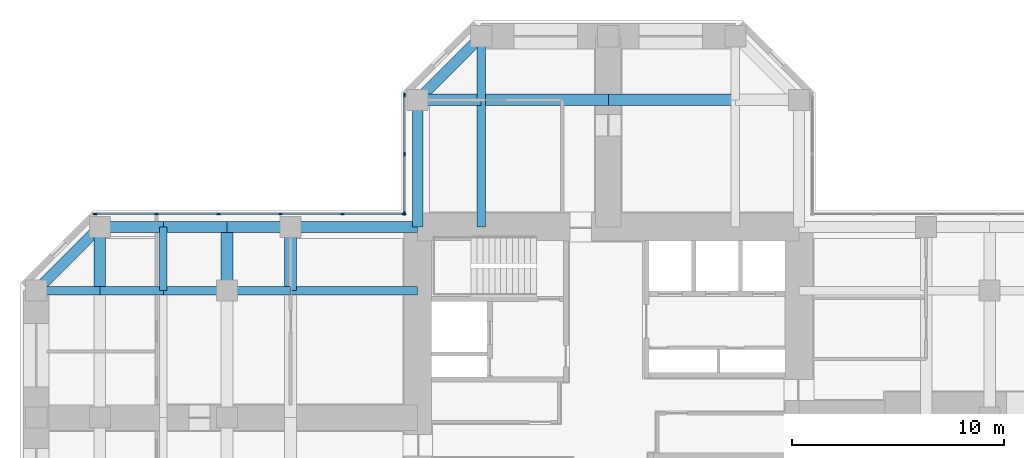
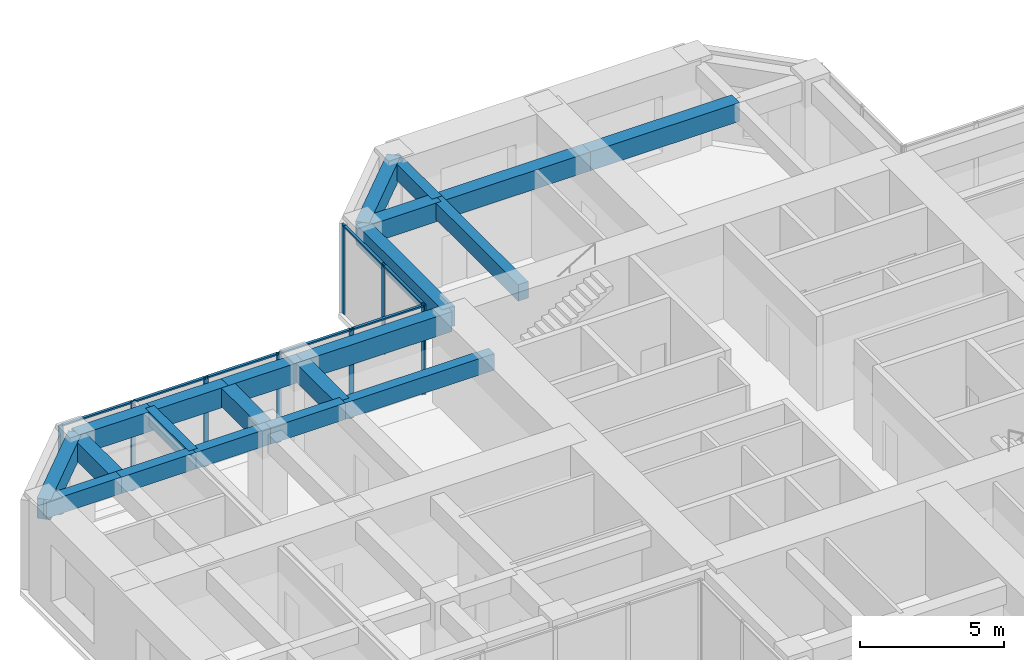
# One storey, part 5 of 13: 21 beams, 16 members, 2 elements without a shape of their own.
"""IFC4 building model written with IfcOpenShell, lengths in metres."""

from ifc_helpers import new_model, si_unit, direction, frame, origin, origin_2d, place, context, subcontext, project, spatial, rectangle, extrude, material, material_profile, profile_set, type_object, element, aggregate, save


model = new_model("IFC4")

# Units and contexts
model_context = context("Model", 3, precision=1e-05, world=origin(), true_north=direction((0.0, 1.0)))
body_context = subcontext(model_context, "Body", "Model", "MODEL_VIEW")
ifc_project = project(units=[si_unit("LENGTHUNIT", "METRE"), si_unit("AREAUNIT", "SQUARE_METRE"), si_unit("VOLUMEUNIT", "CUBIC_METRE"), si_unit("PLANEANGLEUNIT", "RADIAN"), si_unit("MASSUNIT", "GRAM", prefix="KILO")], contexts=[model_context])

# Site, building, storey
site_placement = place(None, origin())
site = spatial("IfcSite", under=ifc_project, at=site_placement, CompositionType="ELEMENT")
building_placement = place(site_placement, origin())
building = spatial("IfcBuilding", under=site, at=building_placement, Name="Torre Cruceta", CompositionType="ELEMENT")
storey_placement = place(building_placement, frame((0.0, 0.0, 156.5)))
storey = spatial("IfcBuildingStorey", under=building, at=storey_placement, Name="L38", CompositionType="ELEMENT", Elevation=156.5)

# Beams
ifc_material_1 = material(Name="Concrete G60 (fck 60 MPa)", Category="concrete")
ifc_material_profile_1 = material_profile(ifc_material_1, rectangle(XDim=0.39990234375, YDim=0.699951171875, at=origin_2d()), Name="RC 400X700")
ifc_profile_set_1 = profile_set([ifc_material_profile_1], Name="Concrete G60 (fck 60 MPa)")
beam_type_1 = type_object("IfcBeamType", Name="COLUMN LINE BEAM RC 400X700", PredefinedType="BEAM", material=ifc_profile_set_1)
beam_1_placement = place(storey_placement, frame((-6.0, 9.0, 3.449951171875), z_axis=(0.0, 1.0, 0.0), x_axis=(-1.0, 0.0, 0.0)))
element("IfcBeam", 1, at=beam_1_placement, inside=storey, type_object=beam_type_1, Name="LB5 L38 N col+ 1", PredefinedType="BEAM", context=body_context, shape_type="SweptSolid", body=[
    extrude(rectangle(XDim=0.39990234375, YDim=0.699951171875, at=origin_2d()), origin(), (0.0, 0.0, 1.0), 6.0),
])
beam_2_placement = place(storey_placement, frame((-6.0, 15.0, 3.449951171875), z_axis=(0.0, 1.0, 0.0), x_axis=(-1.0, 0.0, 0.0)))
element("IfcBeam", 2, at=beam_2_placement, inside=storey, type_object=beam_type_1, Name="LB5 L38 N col+ 2", PredefinedType="BEAM", context=body_context, shape_type="SweptSolid", body=[
    extrude(rectangle(XDim=0.39990234375, YDim=0.699951171875, at=origin_2d()), origin(), (0.0, 0.0, 1.0), 3.0),
])
beam_3_placement = place(storey_placement, frame((-9.0, 6.0, 3.449951171875), z_axis=(-1.0, 0.0, 0.0), x_axis=(0.0, -1.0, 0.0)))
element("IfcBeam", 3, at=beam_3_placement, inside=storey, type_object=beam_type_1, Name="LB5 L38 W col- 1", PredefinedType="BEAM", context=body_context, shape_type="SweptSolid", body=[
    extrude(rectangle(XDim=0.39990234375, YDim=0.699951171875, at=origin_2d()), origin(), (0.0, 0.0, 1.0), 6.0),
])
for number, where, z_axis, x_axis, name in (
    (4, (-15.0, 6.0, 3.449951171875), (-1.0, 0.0, 0.0), (0.0, -1.0, 0.0), "LB5 L38 W col- 2"),
    (5, (-18.0, 6.0, 3.449951171875), (-1.0, 0.0, 0.0), (0.0, -1.0, 0.0), "LB5 L38 W col- 3"),
    (6, (-21.0, 6.0, 3.449951171875), (-1.0, 0.0, 0.0), (0.0, -1.0, 0.0), "LB5 L38 W col- 4"),
    (7, (-24.0, 6.0, 3.449951171875), (-1.0, 0.0, 0.0), (0.0, -1.0, 0.0), "LB5 L38 W col- 5"),
):
    element("IfcBeam", number, at=place(storey_placement, frame(where, z_axis=z_axis, x_axis=x_axis)), inside=storey, type_object=beam_type_1, Name=name, PredefinedType="BEAM", context=body_context, shape_type="SweptSolid", body=[
        extrude(rectangle(XDim=0.39990234375, YDim=0.699951171875, at=origin_2d()), origin(), (0.0, 0.0, 1.0), 3.0),
    ])
ifc_material_2 = material(Name="Concrete G60 (fck 60 MPa)", Category="concrete")
ifc_material_profile_2 = material_profile(ifc_material_2, rectangle(XDim=0.550048828125, YDim=0.800048828125, at=origin_2d()), Name="RC 550X800")
ifc_profile_set_2 = profile_set([ifc_material_profile_2], Name="Concrete G60 (fck 60 MPa)")
beam_type_2 = type_object("IfcBeamType", Name="CROSS BEAM RC 550X800", PredefinedType="BEAM", material=ifc_profile_set_2)
for number, where, z_axis, x_axis, name in (
    (8, (6.0, 15.0, 3.39990234375), (-1.0, 0.0, 0.0), (0.0, -1.0, 0.0), "GB5 L38 N cross15 2"),
    (9, (0.0, 15.0, 3.39990234375), (-1.0, 0.0, 0.0), (0.0, -1.0, 0.0), "GB5 L38 N cross15 3"),
):
    element("IfcBeam", number, at=place(storey_placement, frame(where, z_axis=z_axis, x_axis=x_axis)), inside=storey, type_object=beam_type_2, Name=name, PredefinedType="BEAM", context=body_context, shape_type="SweptSolid", body=[
        extrude(rectangle(XDim=0.550048828125, YDim=0.800048828125, at=origin_2d()), origin(), (0.0, 0.0, 1.0), 6.0),
    ])
for number, where, z_axis, x_axis, name in (
    (10, (-6.0, 15.0, 3.39990234375), (-1.0, 0.0, 0.0), (0.0, -1.0, 0.0), "GB5 L38 N cross15 4"),
    (11, (-15.0, 9.0, 3.39990234375), (0.0, -1.0, 0.0), (1.0, 0.0, 0.0), "GB5 L38 W cross15 1"),
    (12, (-18.0, 9.0, 3.39990234375), (0.0, -1.0, 0.0), (1.0, 0.0, 0.0), "GB5 L38 W cross18 1"),
    (13, (-24.0, 9.0, 3.39990234375), (0.0, -1.0, 0.0), (1.0, 0.0, 0.0), "GB5 L38 W cross24 1"),
):
    element("IfcBeam", number, at=place(storey_placement, frame(where, z_axis=z_axis, x_axis=x_axis)), inside=storey, type_object=beam_type_2, Name=name, PredefinedType="BEAM", context=body_context, shape_type="SweptSolid", body=[
        extrude(rectangle(XDim=0.550048828125, YDim=0.800048828125, at=origin_2d()), origin(), (0.0, 0.0, 1.0), 3.0),
    ])

# Curtain wall, members
ifc_material_3 = material(Name="Aluminium unitised curtain wall", Category="aluminium")
curtain_wall_type = type_object("IfcCurtainWallType", Name="CURTAIN WALL CW-B OFFICE MID RISE", PredefinedType="USERDEFINED", material=ifc_material_3)
curtain_wall_1_placement = place(storey_placement, origin())
curtain_wall_1 = element("IfcCurtainWall", 14, at=curtain_wall_1_placement, inside=storey, type_object=curtain_wall_type, Name="CW-B L38 N side 09", ObjectType="UNITISED", PredefinedType="USERDEFINED")
ifc_material_4 = material(Name="Aluminium mullion", Category="aluminium")
ifc_material_profile_3 = material_profile(ifc_material_4, rectangle(XDim=0.06494140625, YDim=0.179931640625, at=origin_2d()), Name="AL 65X180")
ifc_profile_set_3 = profile_set([ifc_material_profile_3], Name="Aluminium mullion")
member_type_1 = type_object("IfcMemberType", Name="CW-B MULLION 65X180", PredefinedType="MULLION", material=ifc_profile_set_3)
member_1_placement = place(storey_placement, frame((-9.6201171875, 15.224365234375, 0.0), z_axis=(0.0, 0.0, 1.0), x_axis=(1.0, 0.0, 0.0)))
member_1 = element("IfcMember", 15, at=member_1_placement, type_object=member_type_1, Name="CW-B mullion 1", PredefinedType="MULLION", context=body_context, shape_type="SweptSolid", body=[
    extrude(rectangle(XDim=0.06494140625, YDim=0.179931640625, at=origin_2d()), origin(), (0.0, 0.0, 1.0), 3.800048828125),
])
member_2_placement = place(storey_placement, frame((-9.6201171875, 12.4384765625, 0.0), z_axis=(0.0, 0.0, 1.0), x_axis=(1.0, 0.0, 0.0)))
member_2 = element("IfcMember", 16, at=member_2_placement, type_object=member_type_1, Name="CW-B mullion 2", PredefinedType="MULLION", context=body_context, shape_type="SweptSolid", body=[
    extrude(rectangle(XDim=0.06494140625, YDim=0.179931640625, at=origin_2d()), origin(), (0.0, 0.0, 1.0), 3.800048828125),
])
member_3_placement = place(storey_placement, frame((-9.6201171875, 9.652587890625, 0.0), z_axis=(0.0, 0.0, 1.0), x_axis=(1.0, 0.0, 0.0)))
member_3 = element("IfcMember", 17, at=member_3_placement, type_object=member_type_1, Name="CW-B mullion 3", PredefinedType="MULLION", context=body_context, shape_type="SweptSolid", body=[
    extrude(rectangle(XDim=0.06494140625, YDim=0.179931640625, at=origin_2d()), origin(), (0.0, 0.0, 1.0), 3.800048828125),
])

curtain_wall_2_placement = place(storey_placement, origin())
curtain_wall_2 = element("IfcCurtainWall", 18, at=curtain_wall_2_placement, inside=storey, type_object=curtain_wall_type, Name="CW-B L38 W side 10", ObjectType="UNITISED", PredefinedType="USERDEFINED")
member_4_placement = place(storey_placement, frame((-9.652587890625, 9.6201171875, 0.0), z_axis=(0.0, 0.0, 1.0), x_axis=(0.0, -1.0, 0.0)))
member_4 = element("IfcMember", 19, at=member_4_placement, type_object=member_type_1, Name="CW-B mullion 1", PredefinedType="MULLION", context=body_context, shape_type="SweptSolid", body=[
    extrude(rectangle(XDim=0.06494140625, YDim=0.179931640625, at=origin_2d()), origin(), (0.0, 0.0, 1.0), 3.800048828125),
])
member_5_placement = place(storey_placement, frame((-12.54736328125, 9.6201171875, 0.0), z_axis=(0.0, 0.0, 1.0), x_axis=(0.0, -1.0, 0.0)))
member_5 = element("IfcMember", 20, at=member_5_placement, type_object=member_type_1, Name="CW-B mullion 2", PredefinedType="MULLION", context=body_context, shape_type="SweptSolid", body=[
    extrude(rectangle(XDim=0.06494140625, YDim=0.179931640625, at=origin_2d()), origin(), (0.0, 0.0, 1.0), 3.800048828125),
])
member_6_placement = place(storey_placement, frame((-15.474609375, 9.6201171875, 0.0), z_axis=(0.0, 0.0, 1.0), x_axis=(0.0, -1.0, 0.0)))
member_6 = element("IfcMember", 21, at=member_6_placement, type_object=member_type_1, Name="CW-B mullion 3", PredefinedType="MULLION", context=body_context, shape_type="SweptSolid", body=[
    extrude(rectangle(XDim=0.06494140625, YDim=0.179931640625, at=origin_2d()), origin(), (0.0, 0.0, 1.0), 3.800048828125),
])
member_7_placement = place(storey_placement, frame((-18.402099609375, 9.6201171875, 0.0), z_axis=(0.0, 0.0, 1.0), x_axis=(0.0, -1.0, 0.0)))
member_7 = element("IfcMember", 22, at=member_7_placement, type_object=member_type_1, Name="CW-B mullion 4", PredefinedType="MULLION", context=body_context, shape_type="SweptSolid", body=[
    extrude(rectangle(XDim=0.06494140625, YDim=0.179931640625, at=origin_2d()), origin(), (0.0, 0.0, 1.0), 3.800048828125),
])
member_8_placement = place(storey_placement, frame((-21.329345703125, 9.6201171875, 0.0), z_axis=(0.0, 0.0, 1.0), x_axis=(0.0, -1.0, 0.0)))
member_8 = element("IfcMember", 23, at=member_8_placement, type_object=member_type_1, Name="CW-B mullion 5", PredefinedType="MULLION", context=body_context, shape_type="SweptSolid", body=[
    extrude(rectangle(XDim=0.06494140625, YDim=0.179931640625, at=origin_2d()), origin(), (0.0, 0.0, 1.0), 3.800048828125),
])
member_9_placement = place(storey_placement, frame((-24.224365234375, 9.6201171875, 0.0), z_axis=(0.0, 0.0, 1.0), x_axis=(0.0, -1.0, 0.0)))
member_9 = element("IfcMember", 24, at=member_9_placement, type_object=member_type_1, Name="CW-B mullion 6", PredefinedType="MULLION", context=body_context, shape_type="SweptSolid", body=[
    extrude(rectangle(XDim=0.06494140625, YDim=0.179931640625, at=origin_2d()), origin(), (0.0, 0.0, 1.0), 3.800048828125),
])

# Member
ifc_material_5 = material(Name="Aluminium transom", Category="aluminium")
ifc_material_profile_4 = material_profile(ifc_material_5, rectangle(XDim=0.110107421875, YDim=0.06494140625, at=origin_2d()), Name="AL 110X65")
ifc_profile_set_4 = profile_set([ifc_material_profile_4], Name="Aluminium transom")
member_type_2 = type_object("IfcMemberType", Name="CW-B TRANSOM 65X110", PredefinedType="USERDEFINED", material=ifc_profile_set_4)
member_10_placement = place(storey_placement, frame((-9.6201171875, 15.19189453125, 3.767578125), z_axis=(0.0, -1.0, 0.0), x_axis=(1.0, 0.0, 0.0)))
member_10 = element("IfcMember", 25, at=member_10_placement, type_object=member_type_2, Name="CW-B transom 1", ObjectType="TRANSOM", PredefinedType="USERDEFINED", context=body_context, shape_type="SweptSolid", body=[
    extrude(rectangle(XDim=0.110107421875, YDim=0.06494140625, at=origin_2d()), origin(), (0.0, 0.0, 1.0), 2.720947265625),
])

member_11_placement = place(storey_placement, frame((-9.6201171875, 12.406005859375, 3.767578125), z_axis=(0.0, -1.0, 0.0), x_axis=(1.0, 0.0, 0.0)))
member_11 = element("IfcMember", 26, at=member_11_placement, type_object=member_type_2, Name="CW-B transom 2", ObjectType="TRANSOM", PredefinedType="USERDEFINED", context=body_context, shape_type="SweptSolid", body=[
    extrude(rectangle(XDim=0.110107421875, YDim=0.06494140625, at=origin_2d()), origin(), (0.0, 0.0, 1.0), 2.720947265625),
])

aggregate(curtain_wall_1, [member_1, member_2, member_3, member_10, member_11])

member_12_placement = place(storey_placement, frame((-9.68505859375, 9.6201171875, 3.767578125), z_axis=(-1.0, 0.0, 0.0), x_axis=(0.0, -1.0, 0.0)))
member_12 = element("IfcMember", 27, at=member_12_placement, type_object=member_type_2, Name="CW-B transom 1", ObjectType="TRANSOM", PredefinedType="USERDEFINED", context=body_context, shape_type="SweptSolid", body=[
    extrude(rectangle(XDim=0.110107421875, YDim=0.06494140625, at=origin_2d()), origin(), (0.0, 0.0, 1.0), 2.829833984375),
])

member_13_placement = place(storey_placement, frame((-12.579833984375, 9.6201171875, 3.767578125), z_axis=(-1.0, 0.0, 0.0), x_axis=(0.0, -1.0, 0.0)))
member_13 = element("IfcMember", 28, at=member_13_placement, type_object=member_type_2, Name="CW-B transom 2", ObjectType="TRANSOM", PredefinedType="USERDEFINED", context=body_context, shape_type="SweptSolid", body=[
    extrude(rectangle(XDim=0.110107421875, YDim=0.06494140625, at=origin_2d()), origin(), (0.0, 0.0, 1.0), 2.8623046875),
])

member_14_placement = place(storey_placement, frame((-15.50732421875, 9.6201171875, 3.767578125), z_axis=(-1.0, 0.0, 0.0), x_axis=(0.0, -1.0, 0.0)))
member_14 = element("IfcMember", 29, at=member_14_placement, type_object=member_type_2, Name="CW-B transom 3", ObjectType="TRANSOM", PredefinedType="USERDEFINED", context=body_context, shape_type="SweptSolid", body=[
    extrude(rectangle(XDim=0.110107421875, YDim=0.06494140625, at=origin_2d()), origin(), (0.0, 0.0, 1.0), 2.8623046875),
])

member_15_placement = place(storey_placement, frame((-18.4345703125, 9.6201171875, 3.767578125), z_axis=(-1.0, 0.0, 0.0), x_axis=(0.0, -1.0, 0.0)))
member_15 = element("IfcMember", 30, at=member_15_placement, type_object=member_type_2, Name="CW-B transom 4", ObjectType="TRANSOM", PredefinedType="USERDEFINED", context=body_context, shape_type="SweptSolid", body=[
    extrude(rectangle(XDim=0.110107421875, YDim=0.06494140625, at=origin_2d()), origin(), (0.0, 0.0, 1.0), 2.8623046875),
])

member_16_placement = place(storey_placement, frame((-21.362060546875, 9.6201171875, 3.767578125), z_axis=(-1.0, 0.0, 0.0), x_axis=(0.0, -1.0, 0.0)))
member_16 = element("IfcMember", 31, at=member_16_placement, type_object=member_type_2, Name="CW-B transom 5", ObjectType="TRANSOM", PredefinedType="USERDEFINED", context=body_context, shape_type="SweptSolid", body=[
    extrude(rectangle(XDim=0.110107421875, YDim=0.06494140625, at=origin_2d()), origin(), (0.0, 0.0, 1.0), 2.829833984375),
])

aggregate(curtain_wall_2, [member_4, member_5, member_6, member_7, member_8, member_9, member_12, member_13, member_14, member_15, member_16])

# Beams
ifc_material_6 = material(Name="Concrete G60 (fck 60 MPa)", Category="concrete")
ifc_material_profile_5 = material_profile(ifc_material_6, rectangle(XDim=0.35009765625, YDim=0.60009765625, at=origin_2d()), Name="RC 350X600")
ifc_profile_set_5 = profile_set([ifc_material_profile_5], Name="Concrete G60 (fck 60 MPa)")
beam_type_3 = type_object("IfcBeamType", Name="SECONDARY BEAM RC 350X600", PredefinedType="JOIST", material=ifc_profile_set_5)
beam_4_placement = place(storey_placement, frame((-21.0, 9.0, 3.5), z_axis=(0.0, -1.0, 0.0), x_axis=(1.0, 0.0, 0.0)))
element("IfcBeam", 32, at=beam_4_placement, inside=storey, type_object=beam_type_3, Name="JB5 L38 W sec21 1", PredefinedType="JOIST", context=body_context, shape_type="SweptSolid", body=[
    extrude(rectangle(XDim=0.35009765625, YDim=0.60009765625, at=origin_2d()), origin(), (0.0, 0.0, 1.0), 3.0),
])
ifc_material_7 = material(Name="Concrete G60 (fck 60 MPa)", Category="concrete")
ifc_material_profile_6 = material_profile(ifc_material_7, rectangle(XDim=0.5, YDim=0.85009765625, at=origin_2d()), Name="RC 500X850")
ifc_profile_set_6 = profile_set([ifc_material_profile_6], Name="Concrete G60 (fck 60 MPa)")
beam_type_4 = type_object("IfcBeamType", Name="SPANDREL BEAM RC 500X850", PredefinedType="SPANDREL", material=ifc_profile_set_6)
beam_5_placement = place(storey_placement, frame((-9.0, 9.0, 3.375), z_axis=(0.0, 1.0, 0.0), x_axis=(-1.0, 0.0, 0.0)))
element("IfcBeam", 33, at=beam_5_placement, inside=storey, type_object=beam_type_4, Name="SB5 L38 N side+ 1", PredefinedType="SPANDREL", context=body_context, shape_type="SweptSolid", body=[
    extrude(rectangle(XDim=0.5, YDim=0.85009765625, at=origin_2d()), origin(), (0.0, 0.0, 1.0), 6.0),
])
beam_6_placement = place(storey_placement, frame((-9.0, 15.0, 3.375), z_axis=(0.707106781187, 0.707106781187, 0.0), x_axis=(-0.707106781187, 0.707106781187, 0.0)))
element("IfcBeam", 34, at=beam_6_placement, inside=storey, type_object=beam_type_4, Name="SB5 L38 N side+ 2", PredefinedType="SPANDREL", context=body_context, shape_type="SweptSolid", body=[
    extrude(rectangle(XDim=0.5, YDim=0.85009765625, at=origin_2d()), origin(), (0.0, 0.0, 1.0), 4.24267578125),
])
beam_7_placement = place(storey_placement, frame((-9.0, 9.0, 3.375), z_axis=(-1.0, 0.0, 0.0), x_axis=(0.0, -1.0, 0.0)))
element("IfcBeam", 35, at=beam_7_placement, inside=storey, type_object=beam_type_4, Name="SB5 L38 W side- 1", PredefinedType="SPANDREL", context=body_context, shape_type="SweptSolid", body=[
    extrude(rectangle(XDim=0.5, YDim=0.85009765625, at=origin_2d()), origin(), (0.0, 0.0, 1.0), 6.0),
])
for number, where, z_axis, x_axis, name in (
    (36, (-15.0, 9.0, 3.375), (-1.0, 0.0, 0.0), (0.0, -1.0, 0.0), "SB5 L38 W side- 2"),
    (37, (-18.0, 9.0, 3.375), (-1.0, 0.0, 0.0), (0.0, -1.0, 0.0), "SB5 L38 W side- 3"),
    (38, (-21.0, 9.0, 3.375), (-1.0, 0.0, 0.0), (0.0, -1.0, 0.0), "SB5 L38 W side- 4"),
):
    element("IfcBeam", number, at=place(storey_placement, frame(where, z_axis=z_axis, x_axis=x_axis)), inside=storey, type_object=beam_type_4, Name=name, PredefinedType="SPANDREL", context=body_context, shape_type="SweptSolid", body=[
        extrude(rectangle(XDim=0.5, YDim=0.85009765625, at=origin_2d()), origin(), (0.0, 0.0, 1.0), 3.0),
    ])
beam_8_placement = place(storey_placement, frame((-24.0, 9.0, 3.375), z_axis=(-0.707106781187, -0.707106781187, 0.0), x_axis=(0.707106781187, -0.707106781187, 0.0)))
element("IfcBeam", 39, at=beam_8_placement, inside=storey, type_object=beam_type_4, Name="SB5 L38 W side- 5", PredefinedType="SPANDREL", context=body_context, shape_type="SweptSolid", body=[
    extrude(rectangle(XDim=0.5, YDim=0.85009765625, at=origin_2d()), origin(), (0.0, 0.0, 1.0), 4.24267578125),
])

save(model, "model.ifc")
